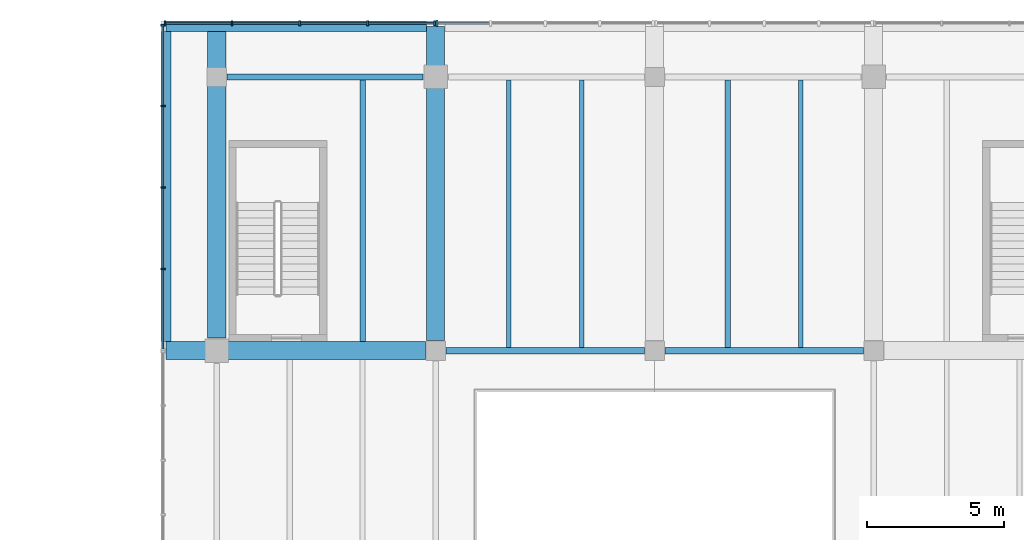
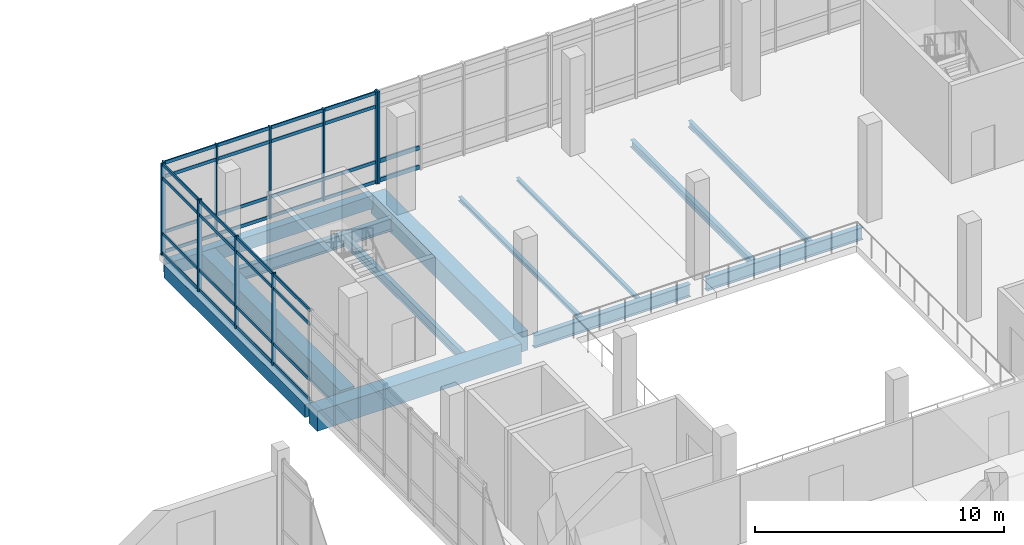
# One storey, part 19 of 47: 44 members, 13 beams, 3 elements without a shape of their own.
"""IFC4 building model written with IfcOpenShell, lengths in metres."""

from ifc_helpers import new_model, si_unit, direction, frame, origin, origin_2d, place, context, subcontext, project, spatial, rectangle, i_section, extrude, material, material_profile, profile_set, type_object, element, aggregate, save


model = new_model("IFC4")

# Units and contexts
model_context = context("Model", 3, precision=1e-05, world=origin(), true_north=direction((0.0, 1.0)))
body_context = subcontext(model_context, "Body", "Model", "MODEL_VIEW")
ifc_project = project(units=[si_unit("LENGTHUNIT", "METRE"), si_unit("AREAUNIT", "SQUARE_METRE"), si_unit("VOLUMEUNIT", "CUBIC_METRE"), si_unit("PLANEANGLEUNIT", "RADIAN"), si_unit("MASSUNIT", "GRAM", prefix="KILO")], contexts=[model_context])

# Site, building, storey
site_placement = place(None, origin())
site = spatial("IfcSite", under=ifc_project, at=site_placement, CompositionType="ELEMENT")
building_placement = place(site_placement, origin())
building = spatial("IfcBuilding", under=site, at=building_placement, Name="Pecanmere Concourse Central Library", CompositionType="ELEMENT")
storey_placement = place(building_placement, frame((0.0, 0.0, 15.300048828125)))
storey = spatial("IfcBuildingStorey", under=building, at=storey_placement, Name="L04", CompositionType="ELEMENT", Elevation=15.300048828125)

# Curtain wall, members
ifc_material_1 = material(Name="Anodized bronze aluminium alloy 6063-T6", Category="aluminium")
curtain_wall_type_1 = type_object("IfcCurtainWallType", Name="CW_PLUMB_BANDED", PredefinedType="USERDEFINED", material=ifc_material_1)
curtain_wall_1_placement = place(storey_placement, origin())
curtain_wall_1 = element("IfcCurtainWall", 1, at=curtain_wall_1_placement, inside=storey, type_object=curtain_wall_type_1, Name="Unitised Curtain Wall CW-02 L04-041", ObjectType="UNITISED CURTAIN WALL", PredefinedType="USERDEFINED")
ifc_material_2 = material(Name="Anodized bronze aluminium alloy 6063-T6", Category="aluminium")
ifc_material_profile_1 = material_profile(ifc_material_2, rectangle(XDim=0.06494140625, YDim=0.179931640625, at=origin_2d()), Name="AL 65x180")
ifc_profile_set_1 = profile_set([ifc_material_profile_1], Name="Anodized bronze aluminium alloy 6063-T6")
member_type_1 = type_object("IfcMemberType", Name="CWM_180x65", PredefinedType="MULLION", material=ifc_profile_set_1)
member_1_placement = place(storey_placement, frame((79.96240234375, 125.96142578125, 0.0), z_axis=(0.0, 0.0, 1.0), x_axis=(-1.0, 0.0, 0.0)))
member_1 = element("IfcMember", 2, at=member_1_placement, type_object=member_type_1, Name="CW-02 Mullion 1", PredefinedType="MULLION", context=body_context, shape_type="SweptSolid", body=[
    extrude(rectangle(XDim=0.06494140625, YDim=0.179931640625, at=origin_2d()), origin(), (0.0, 0.0, 1.0), 4.52001953125),
])
member_2_placement = place(storey_placement, frame((77.515869140625, 125.96142578125, 0.0), z_axis=(0.0, 0.0, 1.0), x_axis=(-1.0, 0.0, 0.0)))
member_2 = element("IfcMember", 3, at=member_2_placement, type_object=member_type_1, Name="CW-02 Mullion 2", PredefinedType="MULLION", context=body_context, shape_type="SweptSolid", body=[
    extrude(rectangle(XDim=0.06494140625, YDim=0.179931640625, at=origin_2d()), origin(), (0.0, 0.0, 1.0), 4.52001953125),
])
member_3_placement = place(storey_placement, frame((75.036865234375, 125.96142578125, 0.0), z_axis=(0.0, 0.0, 1.0), x_axis=(-1.0, 0.0, 0.0)))
member_3 = element("IfcMember", 4, at=member_3_placement, type_object=member_type_1, Name="CW-02 Mullion 3", PredefinedType="MULLION", context=body_context, shape_type="SweptSolid", body=[
    extrude(rectangle(XDim=0.06494140625, YDim=0.179931640625, at=origin_2d()), origin(), (0.0, 0.0, 1.0), 4.52001953125),
])
member_4_placement = place(storey_placement, frame((72.5576171875, 125.96142578125, 0.0), z_axis=(0.0, 0.0, 1.0), x_axis=(-1.0, 0.0, 0.0)))
member_4 = element("IfcMember", 5, at=member_4_placement, type_object=member_type_1, Name="CW-02 Mullion 4", PredefinedType="MULLION", context=body_context, shape_type="SweptSolid", body=[
    extrude(rectangle(XDim=0.06494140625, YDim=0.179931640625, at=origin_2d()), origin(), (0.0, 0.0, 1.0), 4.52001953125),
])
member_5_placement = place(storey_placement, frame((70.111083984375, 125.96142578125, 0.0), z_axis=(0.0, 0.0, 1.0), x_axis=(-1.0, 0.0, 0.0)))
member_5 = element("IfcMember", 6, at=member_5_placement, type_object=member_type_1, Name="CW-02 Mullion 5", PredefinedType="MULLION", context=body_context, shape_type="SweptSolid", body=[
    extrude(rectangle(XDim=0.06494140625, YDim=0.179931640625, at=origin_2d()), origin(), (0.0, 0.0, 1.0), 4.52001953125),
])

curtain_wall_2_placement = place(storey_placement, origin())
curtain_wall_2 = element("IfcCurtainWall", 7, at=curtain_wall_2_placement, inside=storey, type_object=curtain_wall_type_1, Name="Unitised Curtain Wall CW-02 L04-050", ObjectType="UNITISED CURTAIN WALL", PredefinedType="USERDEFINED")
member_6_placement = place(storey_placement, frame((70.03857421875, 125.888916015625, 0.0), z_axis=(0.0, 0.0, 1.0), x_axis=(0.0, -1.0, 0.0)))
member_6 = element("IfcMember", 8, at=member_6_placement, type_object=member_type_1, Name="CW-02 Mullion 1", PredefinedType="MULLION", context=body_context, shape_type="SweptSolid", body=[
    extrude(rectangle(XDim=0.06494140625, YDim=0.179931640625, at=origin_2d()), origin(), (0.0, 0.0, 1.0), 4.52001953125),
])
member_7_placement = place(storey_placement, frame((70.03857421875, 122.9423828125, 0.0), z_axis=(0.0, 0.0, 1.0), x_axis=(0.0, -1.0, 0.0)))
member_7 = element("IfcMember", 9, at=member_7_placement, type_object=member_type_1, Name="CW-02 Mullion 2", PredefinedType="MULLION", context=body_context, shape_type="SweptSolid", body=[
    extrude(rectangle(XDim=0.06494140625, YDim=0.179931640625, at=origin_2d()), origin(), (0.0, 0.0, 1.0), 4.52001953125),
])
member_8_placement = place(storey_placement, frame((70.03857421875, 119.963134765625, 0.0), z_axis=(0.0, 0.0, 1.0), x_axis=(0.0, -1.0, 0.0)))
member_8 = element("IfcMember", 10, at=member_8_placement, type_object=member_type_1, Name="CW-02 Mullion 3", PredefinedType="MULLION", context=body_context, shape_type="SweptSolid", body=[
    extrude(rectangle(XDim=0.06494140625, YDim=0.179931640625, at=origin_2d()), origin(), (0.0, 0.0, 1.0), 4.52001953125),
])
member_9_placement = place(storey_placement, frame((70.03857421875, 116.984130859375, 0.0), z_axis=(0.0, 0.0, 1.0), x_axis=(0.0, -1.0, 0.0)))
member_9 = element("IfcMember", 11, at=member_9_placement, type_object=member_type_1, Name="CW-02 Mullion 4", PredefinedType="MULLION", context=body_context, shape_type="SweptSolid", body=[
    extrude(rectangle(XDim=0.06494140625, YDim=0.179931640625, at=origin_2d()), origin(), (0.0, 0.0, 1.0), 4.52001953125),
])

# Curtain wall, member
ifc_material_3 = material(Name="Anodized bronze aluminium alloy 6063-T6", Category="aluminium")
curtain_wall_type_2 = type_object("IfcCurtainWallType", Name="CW_PORTAL_CLEAR", PredefinedType="USERDEFINED", material=ifc_material_3)
curtain_wall_3_placement = place(storey_placement, origin())
curtain_wall_3 = element("IfcCurtainWall", 12, at=curtain_wall_3_placement, inside=storey, type_object=curtain_wall_type_2, Name="Unitised Curtain Wall CW-03 L04-040", ObjectType="UNITISED CURTAIN WALL", PredefinedType="USERDEFINED")
ifc_material_4 = material(Name="Anodized bronze aluminium alloy 6063-T6", Category="aluminium")
ifc_material_profile_2 = material_profile(ifc_material_4, rectangle(XDim=0.0849609375, YDim=0.239990234375, at=origin_2d()), Name="AL 85x240")
ifc_profile_set_2 = profile_set([ifc_material_profile_2], Name="Anodized bronze aluminium alloy 6063-T6")
member_type_2 = type_object("IfcMemberType", Name="CWM_240x85", PredefinedType="MULLION", material=ifc_profile_set_2)
member_10_placement = place(storey_placement, frame((80.047607421875, 125.96142578125, 0.0), z_axis=(0.0, 0.0, 1.0), x_axis=(-1.0, 0.0, 0.0)))
member_10 = element("IfcMember", 13, at=member_10_placement, type_object=member_type_2, Name="CW-03 Mullion 5", PredefinedType="MULLION", context=body_context, shape_type="SweptSolid", body=[
    extrude(rectangle(XDim=0.0849609375, YDim=0.239990234375, at=origin_2d()), origin(), (0.0, 0.0, 1.0), 4.52001953125),
])

# Member
ifc_material_5 = material(Name="Anodized bronze aluminium alloy 6063-T6", Category="aluminium")
ifc_material_profile_3 = material_profile(ifc_material_5, rectangle(XDim=0.06005859375, YDim=0.159912109375, at=origin_2d()), Name="AL 60x160")
ifc_profile_set_3 = profile_set([ifc_material_profile_3], Name="Anodized bronze aluminium alloy 6063-T6")
member_type_3 = type_object("IfcMemberType", Name="CWT_160x60", PredefinedType="USERDEFINED", material=ifc_profile_set_3)
member_11_placement = place(storey_placement, frame((79.929931640625, 125.96142578125, 0.079833984375), z_axis=(-1.0, 0.0, 0.0), x_axis=(0.0, -1.0, 0.0)))
member_11 = element("IfcMember", 14, at=member_11_placement, type_object=member_type_3, Name="CW-02 Transom 1.1", ObjectType="TRANSOM", PredefinedType="USERDEFINED", context=body_context, shape_type="SweptSolid", body=[
    extrude(rectangle(XDim=0.06005859375, YDim=0.159912109375, at=origin_2d()), origin(), (0.0, 0.0, 1.0), 2.381591796875),
])

member_12_placement = place(storey_placement, frame((79.929931640625, 125.96142578125, 1.050048828125), z_axis=(-1.0, 0.0, 0.0), x_axis=(0.0, -1.0, 0.0)))
member_12 = element("IfcMember", 15, at=member_12_placement, type_object=member_type_3, Name="CW-02 Transom 1.2", ObjectType="TRANSOM", PredefinedType="USERDEFINED", context=body_context, shape_type="SweptSolid", body=[
    extrude(rectangle(XDim=0.06005859375, YDim=0.159912109375, at=origin_2d()), origin(), (0.0, 0.0, 1.0), 2.381591796875),
])

member_13_placement = place(storey_placement, frame((79.929931640625, 125.96142578125, 3.77001953125), z_axis=(-1.0, 0.0, 0.0), x_axis=(0.0, -1.0, 0.0)))
member_13 = element("IfcMember", 16, at=member_13_placement, type_object=member_type_3, Name="CW-02 Transom 1.3", ObjectType="TRANSOM", PredefinedType="USERDEFINED", context=body_context, shape_type="SweptSolid", body=[
    extrude(rectangle(XDim=0.06005859375, YDim=0.159912109375, at=origin_2d()), origin(), (0.0, 0.0, 1.0), 2.381591796875),
])

member_14_placement = place(storey_placement, frame((79.929931640625, 125.96142578125, 4.43994140625), z_axis=(-1.0, 0.0, 0.0), x_axis=(0.0, -1.0, 0.0)))
member_14 = element("IfcMember", 17, at=member_14_placement, type_object=member_type_3, Name="CW-02 Transom 1.4", ObjectType="TRANSOM", PredefinedType="USERDEFINED", context=body_context, shape_type="SweptSolid", body=[
    extrude(rectangle(XDim=0.06005859375, YDim=0.159912109375, at=origin_2d()), origin(), (0.0, 0.0, 1.0), 2.381591796875),
])

member_15_placement = place(storey_placement, frame((77.4833984375, 125.96142578125, 0.079833984375), z_axis=(-1.0, 0.0, 0.0), x_axis=(0.0, -1.0, 0.0)))
member_15 = element("IfcMember", 18, at=member_15_placement, type_object=member_type_3, Name="CW-02 Transom 2.1", ObjectType="TRANSOM", PredefinedType="USERDEFINED", context=body_context, shape_type="SweptSolid", body=[
    extrude(rectangle(XDim=0.06005859375, YDim=0.159912109375, at=origin_2d()), origin(), (0.0, 0.0, 1.0), 2.4140625),
])

member_16_placement = place(storey_placement, frame((77.4833984375, 125.96142578125, 1.050048828125), z_axis=(-1.0, 0.0, 0.0), x_axis=(0.0, -1.0, 0.0)))
member_16 = element("IfcMember", 19, at=member_16_placement, type_object=member_type_3, Name="CW-02 Transom 2.2", ObjectType="TRANSOM", PredefinedType="USERDEFINED", context=body_context, shape_type="SweptSolid", body=[
    extrude(rectangle(XDim=0.06005859375, YDim=0.159912109375, at=origin_2d()), origin(), (0.0, 0.0, 1.0), 2.4140625),
])

member_17_placement = place(storey_placement, frame((77.4833984375, 125.96142578125, 3.77001953125), z_axis=(-1.0, 0.0, 0.0), x_axis=(0.0, -1.0, 0.0)))
member_17 = element("IfcMember", 20, at=member_17_placement, type_object=member_type_3, Name="CW-02 Transom 2.3", ObjectType="TRANSOM", PredefinedType="USERDEFINED", context=body_context, shape_type="SweptSolid", body=[
    extrude(rectangle(XDim=0.06005859375, YDim=0.159912109375, at=origin_2d()), origin(), (0.0, 0.0, 1.0), 2.4140625),
])

member_18_placement = place(storey_placement, frame((77.4833984375, 125.96142578125, 4.43994140625), z_axis=(-1.0, 0.0, 0.0), x_axis=(0.0, -1.0, 0.0)))
member_18 = element("IfcMember", 21, at=member_18_placement, type_object=member_type_3, Name="CW-02 Transom 2.4", ObjectType="TRANSOM", PredefinedType="USERDEFINED", context=body_context, shape_type="SweptSolid", body=[
    extrude(rectangle(XDim=0.06005859375, YDim=0.159912109375, at=origin_2d()), origin(), (0.0, 0.0, 1.0), 2.4140625),
])

member_19_placement = place(storey_placement, frame((75.004150390625, 125.96142578125, 0.079833984375), z_axis=(-1.0, 0.0, 0.0), x_axis=(0.0, -1.0, 0.0)))
member_19 = element("IfcMember", 22, at=member_19_placement, type_object=member_type_3, Name="CW-02 Transom 3.1", ObjectType="TRANSOM", PredefinedType="USERDEFINED", context=body_context, shape_type="SweptSolid", body=[
    extrude(rectangle(XDim=0.06005859375, YDim=0.159912109375, at=origin_2d()), origin(), (0.0, 0.0, 1.0), 2.4140625),
])

member_20_placement = place(storey_placement, frame((75.004150390625, 125.96142578125, 1.050048828125), z_axis=(-1.0, 0.0, 0.0), x_axis=(0.0, -1.0, 0.0)))
member_20 = element("IfcMember", 23, at=member_20_placement, type_object=member_type_3, Name="CW-02 Transom 3.2", ObjectType="TRANSOM", PredefinedType="USERDEFINED", context=body_context, shape_type="SweptSolid", body=[
    extrude(rectangle(XDim=0.06005859375, YDim=0.159912109375, at=origin_2d()), origin(), (0.0, 0.0, 1.0), 2.4140625),
])

member_21_placement = place(storey_placement, frame((75.004150390625, 125.96142578125, 3.77001953125), z_axis=(-1.0, 0.0, 0.0), x_axis=(0.0, -1.0, 0.0)))
member_21 = element("IfcMember", 24, at=member_21_placement, type_object=member_type_3, Name="CW-02 Transom 3.3", ObjectType="TRANSOM", PredefinedType="USERDEFINED", context=body_context, shape_type="SweptSolid", body=[
    extrude(rectangle(XDim=0.06005859375, YDim=0.159912109375, at=origin_2d()), origin(), (0.0, 0.0, 1.0), 2.4140625),
])

member_22_placement = place(storey_placement, frame((75.004150390625, 125.96142578125, 4.43994140625), z_axis=(-1.0, 0.0, 0.0), x_axis=(0.0, -1.0, 0.0)))
member_22 = element("IfcMember", 25, at=member_22_placement, type_object=member_type_3, Name="CW-02 Transom 3.4", ObjectType="TRANSOM", PredefinedType="USERDEFINED", context=body_context, shape_type="SweptSolid", body=[
    extrude(rectangle(XDim=0.06005859375, YDim=0.159912109375, at=origin_2d()), origin(), (0.0, 0.0, 1.0), 2.4140625),
])

member_23_placement = place(storey_placement, frame((72.525146484375, 125.96142578125, 0.079833984375), z_axis=(-1.0, 0.0, 0.0), x_axis=(0.0, -1.0, 0.0)))
member_23 = element("IfcMember", 26, at=member_23_placement, type_object=member_type_3, Name="CW-02 Transom 4.1", ObjectType="TRANSOM", PredefinedType="USERDEFINED", context=body_context, shape_type="SweptSolid", body=[
    extrude(rectangle(XDim=0.06005859375, YDim=0.159912109375, at=origin_2d()), origin(), (0.0, 0.0, 1.0), 2.381591796875),
])

member_24_placement = place(storey_placement, frame((72.525146484375, 125.96142578125, 1.050048828125), z_axis=(-1.0, 0.0, 0.0), x_axis=(0.0, -1.0, 0.0)))
member_24 = element("IfcMember", 27, at=member_24_placement, type_object=member_type_3, Name="CW-02 Transom 4.2", ObjectType="TRANSOM", PredefinedType="USERDEFINED", context=body_context, shape_type="SweptSolid", body=[
    extrude(rectangle(XDim=0.06005859375, YDim=0.159912109375, at=origin_2d()), origin(), (0.0, 0.0, 1.0), 2.381591796875),
])

member_25_placement = place(storey_placement, frame((72.525146484375, 125.96142578125, 3.77001953125), z_axis=(-1.0, 0.0, 0.0), x_axis=(0.0, -1.0, 0.0)))
member_25 = element("IfcMember", 28, at=member_25_placement, type_object=member_type_3, Name="CW-02 Transom 4.3", ObjectType="TRANSOM", PredefinedType="USERDEFINED", context=body_context, shape_type="SweptSolid", body=[
    extrude(rectangle(XDim=0.06005859375, YDim=0.159912109375, at=origin_2d()), origin(), (0.0, 0.0, 1.0), 2.381591796875),
])

member_26_placement = place(storey_placement, frame((72.525146484375, 125.96142578125, 4.43994140625), z_axis=(-1.0, 0.0, 0.0), x_axis=(0.0, -1.0, 0.0)))
member_26 = element("IfcMember", 29, at=member_26_placement, type_object=member_type_3, Name="CW-02 Transom 4.4", ObjectType="TRANSOM", PredefinedType="USERDEFINED", context=body_context, shape_type="SweptSolid", body=[
    extrude(rectangle(XDim=0.06005859375, YDim=0.159912109375, at=origin_2d()), origin(), (0.0, 0.0, 1.0), 2.381591796875),
])

aggregate(curtain_wall_1, [member_1, member_2, member_3, member_4, member_5, member_11, member_12, member_13, member_14, member_15, member_16, member_17, member_18, member_19, member_20, member_21, member_22, member_23, member_24, member_25, member_26])

member_27_placement = place(storey_placement, frame((70.03857421875, 125.8564453125, 0.079833984375), z_axis=(0.0, -1.0, 0.0), x_axis=(1.0, 0.0, 0.0)))
member_27 = element("IfcMember", 30, at=member_27_placement, type_object=member_type_3, Name="CW-02 Transom 1.1", ObjectType="TRANSOM", PredefinedType="USERDEFINED", context=body_context, shape_type="SweptSolid", body=[
    extrude(rectangle(XDim=0.06005859375, YDim=0.159912109375, at=origin_2d()), origin(), (0.0, 0.0, 1.0), 2.881591796875),
])

member_28_placement = place(storey_placement, frame((70.03857421875, 125.8564453125, 1.050048828125), z_axis=(0.0, -1.0, 0.0), x_axis=(1.0, 0.0, 0.0)))
member_28 = element("IfcMember", 31, at=member_28_placement, type_object=member_type_3, Name="CW-02 Transom 1.2", ObjectType="TRANSOM", PredefinedType="USERDEFINED", context=body_context, shape_type="SweptSolid", body=[
    extrude(rectangle(XDim=0.06005859375, YDim=0.159912109375, at=origin_2d()), origin(), (0.0, 0.0, 1.0), 2.881591796875),
])

member_29_placement = place(storey_placement, frame((70.03857421875, 125.8564453125, 3.77001953125), z_axis=(0.0, -1.0, 0.0), x_axis=(1.0, 0.0, 0.0)))
member_29 = element("IfcMember", 32, at=member_29_placement, type_object=member_type_3, Name="CW-02 Transom 1.3", ObjectType="TRANSOM", PredefinedType="USERDEFINED", context=body_context, shape_type="SweptSolid", body=[
    extrude(rectangle(XDim=0.06005859375, YDim=0.159912109375, at=origin_2d()), origin(), (0.0, 0.0, 1.0), 2.881591796875),
])

member_30_placement = place(storey_placement, frame((70.03857421875, 125.8564453125, 4.43994140625), z_axis=(0.0, -1.0, 0.0), x_axis=(1.0, 0.0, 0.0)))
member_30 = element("IfcMember", 33, at=member_30_placement, type_object=member_type_3, Name="CW-02 Transom 1.4", ObjectType="TRANSOM", PredefinedType="USERDEFINED", context=body_context, shape_type="SweptSolid", body=[
    extrude(rectangle(XDim=0.06005859375, YDim=0.159912109375, at=origin_2d()), origin(), (0.0, 0.0, 1.0), 2.881591796875),
])

member_31_placement = place(storey_placement, frame((70.03857421875, 122.909912109375, 0.079833984375), z_axis=(0.0, -1.0, 0.0), x_axis=(1.0, 0.0, 0.0)))
member_31 = element("IfcMember", 34, at=member_31_placement, type_object=member_type_3, Name="CW-02 Transom 2.1", ObjectType="TRANSOM", PredefinedType="USERDEFINED", context=body_context, shape_type="SweptSolid", body=[
    extrude(rectangle(XDim=0.06005859375, YDim=0.159912109375, at=origin_2d()), origin(), (0.0, 0.0, 1.0), 2.9140625),
])

member_32_placement = place(storey_placement, frame((70.03857421875, 122.909912109375, 1.050048828125), z_axis=(0.0, -1.0, 0.0), x_axis=(1.0, 0.0, 0.0)))
member_32 = element("IfcMember", 35, at=member_32_placement, type_object=member_type_3, Name="CW-02 Transom 2.2", ObjectType="TRANSOM", PredefinedType="USERDEFINED", context=body_context, shape_type="SweptSolid", body=[
    extrude(rectangle(XDim=0.06005859375, YDim=0.159912109375, at=origin_2d()), origin(), (0.0, 0.0, 1.0), 2.9140625),
])

member_33_placement = place(storey_placement, frame((70.03857421875, 122.909912109375, 3.77001953125), z_axis=(0.0, -1.0, 0.0), x_axis=(1.0, 0.0, 0.0)))
member_33 = element("IfcMember", 36, at=member_33_placement, type_object=member_type_3, Name="CW-02 Transom 2.3", ObjectType="TRANSOM", PredefinedType="USERDEFINED", context=body_context, shape_type="SweptSolid", body=[
    extrude(rectangle(XDim=0.06005859375, YDim=0.159912109375, at=origin_2d()), origin(), (0.0, 0.0, 1.0), 2.9140625),
])

member_34_placement = place(storey_placement, frame((70.03857421875, 122.909912109375, 4.43994140625), z_axis=(0.0, -1.0, 0.0), x_axis=(1.0, 0.0, 0.0)))
member_34 = element("IfcMember", 37, at=member_34_placement, type_object=member_type_3, Name="CW-02 Transom 2.4", ObjectType="TRANSOM", PredefinedType="USERDEFINED", context=body_context, shape_type="SweptSolid", body=[
    extrude(rectangle(XDim=0.06005859375, YDim=0.159912109375, at=origin_2d()), origin(), (0.0, 0.0, 1.0), 2.9140625),
])

member_35_placement = place(storey_placement, frame((70.03857421875, 119.9306640625, 0.079833984375), z_axis=(0.0, -1.0, 0.0), x_axis=(1.0, 0.0, 0.0)))
member_35 = element("IfcMember", 38, at=member_35_placement, type_object=member_type_3, Name="CW-02 Transom 3.1", ObjectType="TRANSOM", PredefinedType="USERDEFINED", context=body_context, shape_type="SweptSolid", body=[
    extrude(rectangle(XDim=0.06005859375, YDim=0.159912109375, at=origin_2d()), origin(), (0.0, 0.0, 1.0), 2.9140625),
])

member_36_placement = place(storey_placement, frame((70.03857421875, 119.9306640625, 1.050048828125), z_axis=(0.0, -1.0, 0.0), x_axis=(1.0, 0.0, 0.0)))
member_36 = element("IfcMember", 39, at=member_36_placement, type_object=member_type_3, Name="CW-02 Transom 3.2", ObjectType="TRANSOM", PredefinedType="USERDEFINED", context=body_context, shape_type="SweptSolid", body=[
    extrude(rectangle(XDim=0.06005859375, YDim=0.159912109375, at=origin_2d()), origin(), (0.0, 0.0, 1.0), 2.9140625),
])

member_37_placement = place(storey_placement, frame((70.03857421875, 119.9306640625, 3.77001953125), z_axis=(0.0, -1.0, 0.0), x_axis=(1.0, 0.0, 0.0)))
member_37 = element("IfcMember", 40, at=member_37_placement, type_object=member_type_3, Name="CW-02 Transom 3.3", ObjectType="TRANSOM", PredefinedType="USERDEFINED", context=body_context, shape_type="SweptSolid", body=[
    extrude(rectangle(XDim=0.06005859375, YDim=0.159912109375, at=origin_2d()), origin(), (0.0, 0.0, 1.0), 2.9140625),
])

member_38_placement = place(storey_placement, frame((70.03857421875, 119.9306640625, 4.43994140625), z_axis=(0.0, -1.0, 0.0), x_axis=(1.0, 0.0, 0.0)))
member_38 = element("IfcMember", 41, at=member_38_placement, type_object=member_type_3, Name="CW-02 Transom 3.4", ObjectType="TRANSOM", PredefinedType="USERDEFINED", context=body_context, shape_type="SweptSolid", body=[
    extrude(rectangle(XDim=0.06005859375, YDim=0.159912109375, at=origin_2d()), origin(), (0.0, 0.0, 1.0), 2.9140625),
])

member_39_placement = place(storey_placement, frame((70.03857421875, 116.95166015625, 0.079833984375), z_axis=(0.0, -1.0, 0.0), x_axis=(1.0, 0.0, 0.0)))
member_39 = element("IfcMember", 42, at=member_39_placement, type_object=member_type_3, Name="CW-02 Transom 4.1", ObjectType="TRANSOM", PredefinedType="USERDEFINED", context=body_context, shape_type="SweptSolid", body=[
    extrude(rectangle(XDim=0.06005859375, YDim=0.159912109375, at=origin_2d()), origin(), (0.0, 0.0, 1.0), 2.881591796875),
])

member_40_placement = place(storey_placement, frame((70.03857421875, 116.95166015625, 1.050048828125), z_axis=(0.0, -1.0, 0.0), x_axis=(1.0, 0.0, 0.0)))
member_40 = element("IfcMember", 43, at=member_40_placement, type_object=member_type_3, Name="CW-02 Transom 4.2", ObjectType="TRANSOM", PredefinedType="USERDEFINED", context=body_context, shape_type="SweptSolid", body=[
    extrude(rectangle(XDim=0.06005859375, YDim=0.159912109375, at=origin_2d()), origin(), (0.0, 0.0, 1.0), 2.881591796875),
])

member_41_placement = place(storey_placement, frame((70.03857421875, 116.95166015625, 3.77001953125), z_axis=(0.0, -1.0, 0.0), x_axis=(1.0, 0.0, 0.0)))
member_41 = element("IfcMember", 44, at=member_41_placement, type_object=member_type_3, Name="CW-02 Transom 4.3", ObjectType="TRANSOM", PredefinedType="USERDEFINED", context=body_context, shape_type="SweptSolid", body=[
    extrude(rectangle(XDim=0.06005859375, YDim=0.159912109375, at=origin_2d()), origin(), (0.0, 0.0, 1.0), 2.881591796875),
])

member_42_placement = place(storey_placement, frame((70.03857421875, 116.95166015625, 4.43994140625), z_axis=(0.0, -1.0, 0.0), x_axis=(1.0, 0.0, 0.0)))
member_42 = element("IfcMember", 45, at=member_42_placement, type_object=member_type_3, Name="CW-02 Transom 4.4", ObjectType="TRANSOM", PredefinedType="USERDEFINED", context=body_context, shape_type="SweptSolid", body=[
    extrude(rectangle(XDim=0.06005859375, YDim=0.159912109375, at=origin_2d()), origin(), (0.0, 0.0, 1.0), 2.881591796875),
])

aggregate(curtain_wall_2, [member_6, member_7, member_8, member_9, member_27, member_28, member_29, member_30, member_31, member_32, member_33, member_34, member_35, member_36, member_37, member_38, member_39, member_40, member_41, member_42])

ifc_material_6 = material(Name="Anodized bronze aluminium alloy 6063-T6", Category="aluminium")
ifc_material_profile_4 = material_profile(ifc_material_6, rectangle(XDim=0.074951171875, YDim=0.2099609375, at=origin_2d()), Name="AL 75x210")
ifc_profile_set_4 = profile_set([ifc_material_profile_4], Name="Anodized bronze aluminium alloy 6063-T6")
member_type_4 = type_object("IfcMemberType", Name="CWT_210x75", PredefinedType="USERDEFINED", material=ifc_profile_set_4)
member_43_placement = place(storey_placement, frame((81.9599609375, 125.96142578125, 0.10498046875), z_axis=(-1.0, 0.0, 0.0), x_axis=(0.0, -1.0, 0.0)))
member_43 = element("IfcMember", 46, at=member_43_placement, type_object=member_type_4, Name="CW-03 Transom 4.1", ObjectType="TRANSOM", PredefinedType="USERDEFINED", context=body_context, shape_type="SweptSolid", body=[
    extrude(rectangle(XDim=0.074951171875, YDim=0.2099609375, at=origin_2d()), origin(), (0.0, 0.0, 1.0), 1.869873046875),
])

member_44_placement = place(storey_placement, frame((81.9599609375, 125.96142578125, 1.050048828125), z_axis=(-1.0, 0.0, 0.0), x_axis=(0.0, -1.0, 0.0)))
member_44 = element("IfcMember", 47, at=member_44_placement, type_object=member_type_4, Name="CW-03 Transom 4.2", ObjectType="TRANSOM", PredefinedType="USERDEFINED", context=body_context, shape_type="SweptSolid", body=[
    extrude(rectangle(XDim=0.074951171875, YDim=0.2099609375, at=origin_2d()), origin(), (0.0, 0.0, 1.0), 1.869873046875),
])

aggregate(curtain_wall_3, [member_10, member_43, member_44])

# Beams
ifc_material_7 = material(Name="Concrete C40/50", Category="concrete")
ifc_material_profile_5 = material_profile(ifc_material_7, rectangle(XDim=0.659912109375, YDim=0.97998046875, at=origin_2d()), Name="RC 660x980")
ifc_profile_set_5 = profile_set([ifc_material_profile_5], Name="Concrete C40/50")
beam_type_1 = type_object("IfcBeamType", Name="GRD_660x980", PredefinedType="USERDEFINED", material=ifc_profile_set_5)
beam_1_placement = place(storey_placement, frame((70.1484375, 114.0, -0.81005859375), z_axis=(1.0, 0.0, 0.0), x_axis=(0.0, 1.0, 0.0)))
element("IfcBeam", 48, at=beam_1_placement, inside=storey, type_object=beam_type_1, Name="Primary Girder X L04-2213", ObjectType="GIRDER", PredefinedType="USERDEFINED", context=body_context, shape_type="SweptSolid", body=[
    extrude(rectangle(XDim=0.659912109375, YDim=0.97998046875, at=origin_2d()), origin(), (0.0, 0.0, 1.0), 9.4765625),
])
beam_2_placement = place(storey_placement, frame((72.0, 114.4599609375, -0.81005859375), z_axis=(0.0, 1.0, 0.0), x_axis=(-1.0, 0.0, 0.0)))
element("IfcBeam", 49, at=beam_2_placement, inside=storey, type_object=beam_type_1, Name="Primary Girder Y L04-2274", ObjectType="GIRDER", PredefinedType="USERDEFINED", context=body_context, shape_type="SweptSolid", body=[
    extrude(rectangle(XDim=0.659912109375, YDim=0.97998046875, at=origin_2d()), origin(), (0.0, 0.0, 1.0), 11.20166015625),
])
beam_3_placement = place(storey_placement, frame((80.0, 114.375, -0.81005859375), z_axis=(0.0, 1.0, 0.0), x_axis=(-1.0, 0.0, 0.0)))
element("IfcBeam", 50, at=beam_3_placement, inside=storey, type_object=beam_type_1, Name="Primary Girder Y L04-2278", ObjectType="GIRDER", PredefinedType="USERDEFINED", context=body_context, shape_type="SweptSolid", body=[
    extrude(rectangle(XDim=0.659912109375, YDim=0.97998046875, at=origin_2d()), origin(), (0.0, 0.0, 1.0), 11.4765625),
])
ifc_material_8 = material(Name="Structural steel ASTM A992 Grade 50", Category="steel")
ifc_material_profile_6 = material_profile(ifc_material_8, i_section(OverallWidth=0.152099609375, OverallDepth=0.152099609375, WebThickness=0.005859375, FlangeThickness=0.006591796875, at=origin_2d()), Name="W150x22.5")
ifc_profile_set_6 = profile_set([ifc_material_profile_6], Name="Structural steel ASTM A992 Grade 50")
beam_type_2 = type_object("IfcBeamType", Name="SBM_W150x22", PredefinedType="LINTEL", material=ifc_profile_set_6)
beam_4_placement = place(storey_placement, frame((85.333251953125, 114.114990234375, -0.39599609375), z_axis=(0.0, 1.0, 0.0), x_axis=(-1.0, 0.0, 0.0)))
element("IfcBeam", 51, at=beam_4_placement, inside=storey, type_object=beam_type_2, Name="Secondary Floor Joist L04-2390", PredefinedType="LINTEL", context=body_context, shape_type="SweptSolid", body=[
    extrude(i_section(OverallWidth=0.152099609375, OverallDepth=0.152099609375, WebThickness=0.005859375, FlangeThickness=0.006591796875, at=origin_2d()), origin(), (0.0, 0.0, 1.0), 9.77001953125),
])
ifc_material_9 = material(Name="Structural steel ASTM A992 Grade 50", Category="steel")
ifc_material_profile_7 = material_profile(ifc_material_9, i_section(OverallWidth=0.1650390625, OverallDepth=0.200927734375, WebThickness=0.006103515625, FlangeThickness=0.01025390625, at=origin_2d()), Name="W200x35.9")
ifc_profile_set_7 = profile_set([ifc_material_profile_7], Name="Structural steel ASTM A992 Grade 50")
beam_type_3 = type_object("IfcBeamType", Name="SBM_W200x36", PredefinedType="LINTEL", material=ifc_profile_set_7)
beam_5_placement = place(storey_placement, frame((82.666748046875, 114.114990234375, -0.420654296875), z_axis=(0.0, 1.0, 0.0), x_axis=(-1.0, 0.0, 0.0)))
element("IfcBeam", 52, at=beam_5_placement, inside=storey, type_object=beam_type_3, Name="Secondary Floor Joist L04-2389", PredefinedType="LINTEL", context=body_context, shape_type="SweptSolid", body=[
    extrude(i_section(OverallWidth=0.1650390625, OverallDepth=0.200927734375, WebThickness=0.006103515625, FlangeThickness=0.01025390625, at=origin_2d()), origin(), (0.0, 0.0, 1.0), 9.77001953125),
])
ifc_material_10 = material(Name="Structural steel ASTM A992 Grade 50", Category="steel")
ifc_material_profile_8 = material_profile(ifc_material_10, i_section(OverallWidth=0.1669921875, OverallDepth=0.31689453125, WebThickness=0.007568359375, FlangeThickness=0.01318359375, at=origin_2d()), Name="W310x52")
ifc_profile_set_8 = profile_set([ifc_material_profile_8], Name="Structural steel ASTM A992 Grade 50")
beam_type_4 = type_object("IfcBeamType", Name="SBM_W310x52", PredefinedType="JOIST", material=ifc_profile_set_8)
beam_6_placement = place(storey_placement, frame((93.333251953125, 114.114990234375, -0.478515625), z_axis=(0.0, 1.0, 0.0), x_axis=(-1.0, 0.0, 0.0)))
element("IfcBeam", 53, at=beam_6_placement, inside=storey, type_object=beam_type_4, Name="Secondary Floor Joist L04-2394", PredefinedType="JOIST", context=body_context, shape_type="SweptSolid", body=[
    extrude(i_section(OverallWidth=0.1669921875, OverallDepth=0.31689453125, WebThickness=0.007568359375, FlangeThickness=0.01318359375, at=origin_2d()), origin(), (0.0, 0.0, 1.0), 9.77001953125),
])
ifc_material_11 = material(Name="Structural steel ASTM A992 Grade 50", Category="steel")
ifc_material_profile_9 = material_profile(ifc_material_11, i_section(OverallWidth=0.202880859375, OverallDepth=0.346923828125, WebThickness=0.0078125, FlangeThickness=0.013427734375, at=origin_2d()), Name="W360x64")
ifc_profile_set_9 = profile_set([ifc_material_profile_9], Name="Structural steel ASTM A992 Grade 50")
beam_type_5 = type_object("IfcBeamType", Name="SBM_W360x64", PredefinedType="JOIST", material=ifc_profile_set_9)
beam_7_placement = place(storey_placement, frame((90.666748046875, 114.114990234375, -0.49365234375), z_axis=(0.0, 1.0, 0.0), x_axis=(-1.0, 0.0, 0.0)))
element("IfcBeam", 54, at=beam_7_placement, inside=storey, type_object=beam_type_5, Name="Secondary Floor Joist L04-2393", PredefinedType="JOIST", context=body_context, shape_type="SweptSolid", body=[
    extrude(i_section(OverallWidth=0.202880859375, OverallDepth=0.346923828125, WebThickness=0.0078125, FlangeThickness=0.013427734375, at=origin_2d()), origin(), (0.0, 0.0, 1.0), 9.77001953125),
])
ifc_material_12 = material(Name="Structural steel ASTM A992 Grade 50", Category="steel")
ifc_material_profile_10 = material_profile(ifc_material_12, i_section(OverallWidth=0.194091796875, OverallDepth=0.468994140625, WebThickness=0.0126953125, FlangeThickness=0.0205078125, at=origin_2d()), Name="W460x106")
ifc_profile_set_10 = profile_set([ifc_material_profile_10], Name="Structural steel ASTM A992 Grade 50")
beam_type_6 = type_object("IfcBeamType", Name="SBM_W460x106", PredefinedType="USERDEFINED", material=ifc_profile_set_10)
beam_8_placement = place(storey_placement, frame((77.333251953125, 114.330078125, -0.554443359375), z_axis=(0.0, 1.0, 0.0), x_axis=(-1.0, 0.0, 0.0)))
element("IfcBeam", 55, at=beam_8_placement, inside=storey, type_object=beam_type_6, Name="Secondary Floor Joist L04-2386", ObjectType="GIRDER", PredefinedType="USERDEFINED", context=body_context, shape_type="SweptSolid", body=[
    extrude(i_section(OverallWidth=0.194091796875, OverallDepth=0.468994140625, WebThickness=0.0126953125, FlangeThickness=0.0205078125, at=origin_2d()), origin(), (0.0, 0.0, 1.0), 9.554931640625),
])
ifc_material_13 = material(Name="Structural steel ASTM A992 Grade 50", Category="steel")
ifc_material_profile_11 = material_profile(ifc_material_13, i_section(OverallWidth=0.22998046875, OverallDepth=0.616943359375, WebThickness=0.01318359375, FlangeThickness=0.022216796875, at=origin_2d()), Name="W610x140")
ifc_profile_set_11 = profile_set([ifc_material_profile_11], Name="Structural steel ASTM A992 Grade 50")
beam_type_7 = type_object("IfcBeamType", Name="SBM_W610x140", PredefinedType="USERDEFINED", material=ifc_profile_set_11)
for number, where, z_axis, x_axis, name in (
    (56, (80.375, 114.0, -0.628662109375), (1.0, 0.0, 0.0), (0.0, 1.0, 0.0), "Primary Girder X L04-2214"),
    (57, (88.375, 114.0, -0.628662109375), (1.0, 0.0, 0.0), (0.0, 1.0, 0.0), "Primary Girder X L04-2215"),
):
    element("IfcBeam", number, at=place(storey_placement, frame(where, z_axis=z_axis, x_axis=x_axis)), inside=storey, type_object=beam_type_7, Name=name, ObjectType="GIRDER", PredefinedType="USERDEFINED", context=body_context, shape_type="SweptSolid", body=[
        extrude(i_section(OverallWidth=0.22998046875, OverallDepth=0.616943359375, WebThickness=0.01318359375, FlangeThickness=0.022216796875, at=origin_2d()), origin(), (0.0, 0.0, 1.0), 7.25),
    ])
beam_9_placement = place(storey_placement, frame((72.375, 124.0, -0.628662109375), z_axis=(1.0, 0.0, 0.0), x_axis=(0.0, 1.0, 0.0)))
element("IfcBeam", 58, at=beam_9_placement, inside=storey, type_object=beam_type_7, Name="Primary Girder X L04-2217", ObjectType="GIRDER", PredefinedType="USERDEFINED", context=body_context, shape_type="SweptSolid", body=[
    extrude(i_section(OverallWidth=0.22998046875, OverallDepth=0.616943359375, WebThickness=0.01318359375, FlangeThickness=0.022216796875, at=origin_2d()), origin(), (0.0, 0.0, 1.0), 7.1650390625),
])
ifc_material_14 = material(Name="Concrete C40/50", Category="concrete")
ifc_material_profile_12 = material_profile(ifc_material_14, rectangle(XDim=0.3798828125, YDim=0.639892578125, at=origin_2d()), Name="RC 380x640")
ifc_profile_set_12 = profile_set([ifc_material_profile_12], Name="Concrete C40/50")
beam_type_8 = type_object("IfcBeamType", Name="SPB_380x640", PredefinedType="BEAM", material=ifc_profile_set_12)
beam_10_placement = place(storey_placement, frame((70.1484375, 125.8515625, -0.64013671875), z_axis=(1.0, 0.0, 0.0), x_axis=(0.0, 1.0, 0.0)))
element("IfcBeam", 59, at=beam_10_placement, inside=storey, type_object=beam_type_8, Name="Leaning Facade Edge Beam L04-2342", PredefinedType="BEAM", context=body_context, shape_type="SweptSolid", body=[
    extrude(rectangle(XDim=0.3798828125, YDim=0.639892578125, at=origin_2d()), origin(), (0.0, 0.0, 1.0), 9.521484375),
])
beam_11_placement = place(storey_placement, frame((70.1484375, 114.330078125, -0.64013671875), z_axis=(0.0, 1.0, 0.0), x_axis=(-1.0, 0.0, 0.0)))
element("IfcBeam", 60, at=beam_11_placement, inside=storey, type_object=beam_type_8, Name="Leaning Facade Edge Beam L04-2346", PredefinedType="BEAM", context=body_context, shape_type="SweptSolid", body=[
    extrude(rectangle(XDim=0.3798828125, YDim=0.639892578125, at=origin_2d()), origin(), (0.0, 0.0, 1.0), 11.33154296875),
])

save(model, "model.ifc")
